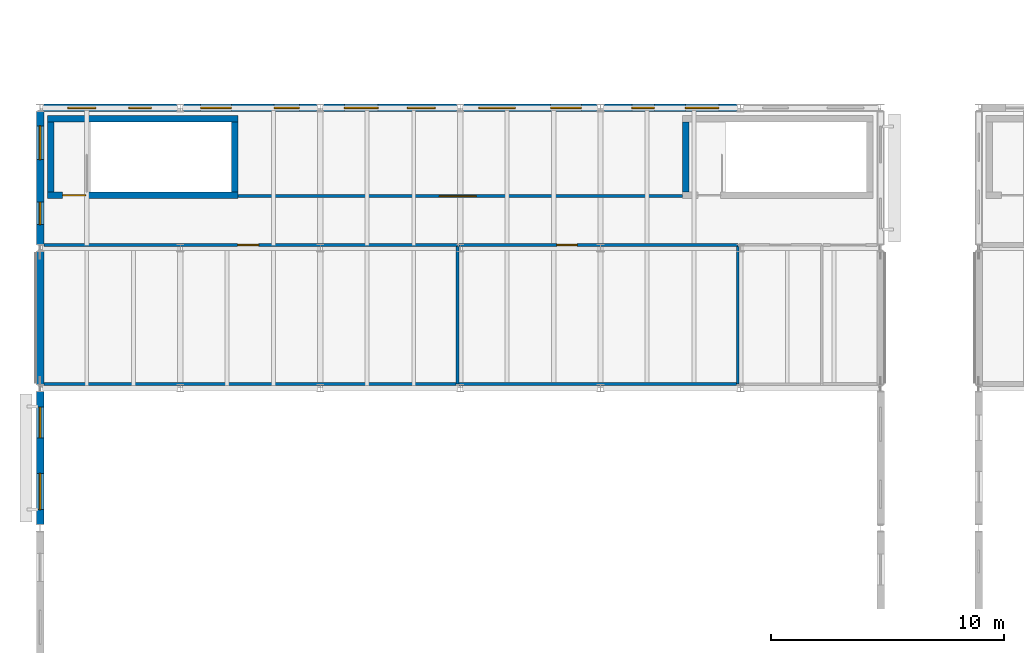
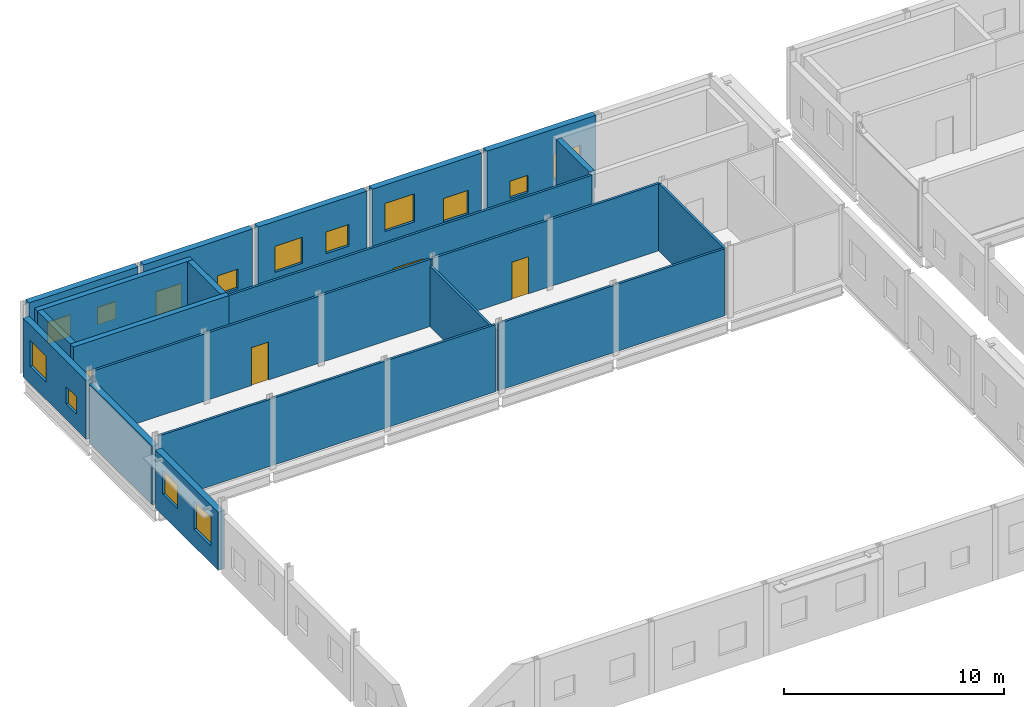
# One storey, part 65 of 92: 20 walls, 14 windows, 4 doors, 18 openings.
"""IFC4 building model written with IfcOpenShell, lengths in metres."""

import ifcopenshell
import ifcopenshell.guid

model = None  # the IFC model being written
_history = None  # IfcOwnerHistory: only IFC2X3 demands one
_inside = {}  # id of a spatial element -> (the spatial element, [elements in it])
_under = {}  # id of a project, library or spatial element -> (it, [spatial elements below it])
_declared = {}  # id of a project -> (the project, [libraries it declares])
_typed = {}  # id of a type object -> (the type object, [elements of that type])
_made_of = {}  # id of a material, layer set ... -> (it, [elements and type objects made of it])


def new_model(schema):
    """Start an empty IFC model of exactly this schema.

    Asked for "IFC4X3", IfcOpenShell would pick the latest addendum, in which some entities
    have other attributes; the version numbers below select the first issue.
    IFC2X3 requires an IfcOwnerHistory on every rooted entity: one is made here for all.
    """
    global model, _history
    if schema == "IFC4X3":
        model = ifcopenshell.file(schema_version=(4, 3, 0, 0))
    else:
        model = ifcopenshell.file(schema=schema)
    _inside.clear()
    _under.clear()
    _declared.clear()
    _typed.clear()
    _made_of.clear()
    _history = None
    if model.schema == "IFC2X3":
        org = make("IfcOrganization", Name="unknown")
        user = make(
            "IfcPersonAndOrganization",
            ThePerson=make("IfcPerson", FamilyName="unknown"),
            TheOrganization=org,
        )
        app = make(
            "IfcApplication",
            ApplicationDeveloper=org,
            Version="unknown",
            ApplicationFullName="unknown",
            ApplicationIdentifier="unknown",
        )
        _history = make(
            "IfcOwnerHistory",
            OwningUser=user,
            OwningApplication=app,
            ChangeAction="ADDED",
            CreationDate=0,
        )
    return model


def make(cls, **values):
    """One entity of the class cls with the attributes given. An attribute that is None is left unset."""
    return model.create_entity(
        cls, **{name: value for name, value in values.items() if value is not None}
    )


def rooted(cls, **values):
    """An entity with a GlobalId (a new one), such as an element, a storey or a relation."""
    return make(cls, GlobalId=ifcopenshell.guid.new(), OwnerHistory=_history, **values)


def si_unit(unit_type, name, prefix=None):
    """IfcSIUnit, for example si_unit("LENGTHUNIT", "METRE", prefix="MILLI")."""
    return make("IfcSIUnit", UnitType=unit_type, Prefix=prefix, Name=name)


def assignment(units):
    """IfcUnitAssignment: the units of a project."""
    return None if units is None else make("IfcUnitAssignment", Units=units)


def point(xyz):
    """IfcCartesianPoint."""
    return None if xyz is None else make("IfcCartesianPoint", Coordinates=xyz)


def direction(xyz):
    """IfcDirection."""
    return None if xyz is None else make("IfcDirection", DirectionRatios=xyz)


def frame(location, z_axis=None, x_axis=None):
    """IfcAxis2Placement3D, a coordinate frame: its origin and axes. An axis left out is left unset."""
    return make(
        "IfcAxis2Placement3D",
        Location=point(location),
        Axis=direction(z_axis),
        RefDirection=direction(x_axis),
    )


def frame_2d(location, x_axis=None):
    """IfcAxis2Placement2D, a coordinate frame in the plane: its origin and x axis."""
    return make(
        "IfcAxis2Placement2D", Location=point(location), RefDirection=direction(x_axis)
    )


def origin():
    """The frame at (0, 0, 0) with its axes left unset."""
    return frame((0.0, 0.0, 0.0))


def place(relative_to, where):
    """IfcLocalPlacement: puts the frame where relative to a parent placement (None: the world)."""
    return make(
        "IfcLocalPlacement", PlacementRelTo=relative_to, RelativePlacement=where
    )


def context(
    kind, dimensions, precision=None, world=None, true_north=None, identifier=None
):
    """IfcGeometricRepresentationContext, for example the 3D "Model" context."""
    return make(
        "IfcGeometricRepresentationContext",
        ContextIdentifier=identifier,
        ContextType=kind,
        CoordinateSpaceDimension=dimensions,
        Precision=precision,
        WorldCoordinateSystem=world,
        TrueNorth=true_north,
    )


def subcontext(parent, identifier, kind, view, scale=None):
    """IfcGeometricRepresentationSubContext, for example "Body" below "Model"."""
    return make(
        "IfcGeometricRepresentationSubContext",
        ContextIdentifier=identifier,
        ContextType=kind,
        ParentContext=parent,
        TargetScale=scale,
        TargetView=view,
    )


def project(units=None, contexts=None):
    """IfcProject with its units and contexts."""
    return rooted(
        "IfcProject",
        Name="project",
        RepresentationContexts=contexts,
        UnitsInContext=assignment(units),
    )


def spatial(cls, under=None, at=None, **own):
    """A site, building, storey or space (cls), placed at a placement, below another one or the project."""
    s = rooted(cls, ObjectPlacement=at, **own)
    if under is not None:
        _under.setdefault(under.id(), (under, []))[1].append(s)
    return s


def profile(cls, at=None, kind="AREA", **sizes):
    """A parametric profile (cls). Its sizes go by their IFC names, for example OverallWidth=200.0."""
    return make(cls, ProfileType=kind, Position=at, **sizes)


def rectangle(**sizes):
    """IfcRectangleProfileDef."""
    return profile("IfcRectangleProfileDef", **sizes)


def extrude(swept, where, along, depth):
    """IfcExtrudedAreaSolid: the profile swept, set in the frame where, extruded along a direction by depth."""
    return make(
        "IfcExtrudedAreaSolid",
        SweptArea=swept,
        Position=where,
        ExtrudedDirection=direction(along),
        Depth=depth,
    )


def shape(context_of_items, identifier, shape_type, items):
    """IfcShapeRepresentation: the items that make up one representation, for example the "Body"."""
    return make(
        "IfcShapeRepresentation",
        ContextOfItems=context_of_items,
        RepresentationIdentifier=identifier,
        RepresentationType=shape_type,
        Items=items,
    )


def material(Name=None, Category=None):
    """IfcMaterial."""
    return make("IfcMaterial", Name=Name, Category=Category)


def layer(
    of_material, thickness, ventilated=None, Name=None, Category=None, Priority=None
):
    """IfcMaterialLayer: one layer of a wall or slab, of a material (None: an air gap)."""
    return make(
        "IfcMaterialLayer",
        Material=of_material,
        LayerThickness=thickness,
        IsVentilated=ventilated,
        Name=Name,
        Category=Category,
        Priority=Priority,
    )


def layer_set(layers, Name=None):
    """IfcMaterialLayerSet."""
    return make("IfcMaterialLayerSet", MaterialLayers=layers, LayerSetName=Name)


def made_of(thing, what):
    """Note that an element or type object is made of a material, layer set ...; save() writes the relation."""
    if what is not None:
        _made_of.setdefault(what.id(), (what, []))[1].append(thing)
    return thing


def type_object(cls, material=None, **own):
    """A type object (cls), such as IfcWallType, which elements share."""
    return made_of(rooted(cls, **own), material)


def element(
    cls,
    number,
    at=None,
    inside=None,
    cuts=None,
    type_object=None,
    material=None,
    context=None,
    identifier="Body",
    shape_type=None,
    held_by="IfcProductDefinitionShape",
    body=None,
    shapes=None,
    **own,
):
    """One element of the class cls, such as IfcWall. Its Tag is "e" and its number.

    at: its placement. inside: the storey or other place that contains it. cuts: it is an
    opening in that element (IfcRelVoidsElement). A single representation is given by context,
    identifier, shape_type and body (its items); several are given by shapes. held_by: the class
    of the entity that holds the representations. save() writes the other relations.
    """
    e = rooted(cls, Tag="e%d" % number, ObjectPlacement=at, **own)
    if body is not None:
        shapes = [shape(context, identifier, shape_type, body)]
    if shapes is not None:
        e.Representation = make(held_by, Representations=shapes)
    if inside is not None:
        _inside.setdefault(inside.id(), (inside, []))[1].append(e)
    if cuts is not None:
        rooted(
            "IfcRelVoidsElement", RelatingBuildingElement=cuts, RelatedOpeningElement=e
        )
    if type_object is not None:
        _typed.setdefault(type_object.id(), (type_object, []))[1].append(e)
    return made_of(e, material)


def fill(opening, filler):
    """IfcRelFillsElement: the door or window that sits in an opening."""
    return rooted(
        "IfcRelFillsElement",
        RelatingOpeningElement=opening,
        RelatedBuildingElement=filler,
    )


def aggregate(whole, parts):
    """IfcRelAggregates: a whole, such as a stair, and the parts it consists of."""
    return rooted("IfcRelAggregates", RelatingObject=whole, RelatedObjects=parts)


def save(model, path):
    """Write the relations noted so far, then the file.

    IfcRelAggregates (storeys below a building ...), IfcRelContainedInSpatialStructure (elements
    in a storey), IfcRelDefinesByType, IfcRelAssociatesMaterial and IfcRelDeclares: one each for
    every whole, place, type object, material and project.
    """
    for whole, parts in _under.values():
        aggregate(whole, parts)
    for where, things in _inside.values():
        rooted(
            "IfcRelContainedInSpatialStructure",
            RelatedElements=things,
            RelatingStructure=where,
        )
    for kind, things in _typed.values():
        rooted("IfcRelDefinesByType", RelatedObjects=things, RelatingType=kind)
    for what, things in _made_of.values():
        rooted("IfcRelAssociatesMaterial", RelatedObjects=things, RelatingMaterial=what)
    for by, libraries in _declared.values():
        rooted("IfcRelDeclares", RelatingContext=by, RelatedDefinitions=libraries)
    model.write(path)


model = new_model("IFC4")

# Units and contexts
model_context = context("Model", 3, precision=1e-05, world=origin(), true_north=direction((0.0, 1.0)))
body_context = subcontext(model_context, "Body", "Model", "MODEL_VIEW")
ifc_project = project(units=[si_unit("LENGTHUNIT", "METRE"), si_unit("AREAUNIT", "SQUARE_METRE"), si_unit("VOLUMEUNIT", "CUBIC_METRE"), si_unit("PLANEANGLEUNIT", "RADIAN"), si_unit("MASSUNIT", "GRAM", prefix="KILO")], contexts=[model_context])

# Site, building, storey
site_placement = place(None, origin())
site = spatial("IfcSite", under=ifc_project, at=site_placement, CompositionType="ELEMENT")
building_placement = place(site_placement, origin())
building = spatial("IfcBuilding", under=site, at=building_placement, Name="Siltcreek Boulevard Central Fire Station", CompositionType="ELEMENT")
storey_placement = place(building_placement, frame((0.0, 0.0, 6.0)))
storey = spatial("IfcBuildingStorey", under=building, at=storey_placement, Name="L02", CompositionType="ELEMENT", Elevation=6.0)

# Wall, opening, door
ifc_material_1 = material(Name="Concrete C40/50", Category="concrete")
ifc_layer_1 = layer(ifc_material_1, 0.280029296875, Name="Concrete C40/50")
ifc_layer_set_1 = layer_set([ifc_layer_1], Name="Concrete C40/50")
wall_type_1 = type_object("IfcWallType", Name="CW_SHEAR280", PredefinedType="SHEAR", material=ifc_layer_set_1)
wall_1_placement = place(storey_placement, frame((2.1201171875, 50.260009765625, 0.0), z_axis=(0.0, 0.0, 1.0), x_axis=(1.0, 0.0, 0.0)))
wall_1 = element("IfcWall", 1, at=wall_1_placement, inside=storey, type_object=wall_type_1, Name="L02 ST-V4A stair enclosure south shear wall", PredefinedType="SHEAR", context=body_context, shape_type="SweptSolid", body=[
    extrude(rectangle(XDim=8.159912109375, YDim=0.280029296875, at=frame_2d((4.080078125, 0.0))), origin(), (0.0, 0.0, 1.0), 3.75),
])
opening_1_placement = place(wall_1_placement, frame((0.64990234375, 0.0, 0.0)))
opening_1 = element("IfcOpeningElement", 2, at=opening_1_placement, cuts=wall_1, Name="Opening SD-002", PredefinedType="OPENING", context=body_context, shape_type="SweptSolid", body=[
    extrude(rectangle(XDim=0.97998046875, YDim=2.14990234375, at=frame_2d((0.489990234375, 1.074951171875))), frame((0.0, 0.14990234375, 0.0), z_axis=(0.0, -1.0, 0.0), x_axis=(1.0, 0.0, 0.0)), (0.0, 0.0, 1.0), 0.300048828125),
])
ifc_material_2 = material(Name="Hollow metal 90-min enclosed stair door")
door_type_1 = type_object("IfcDoorType", Name="DR_ST_098X215", OperationType="NOTDEFINED", PredefinedType="DOOR", material=ifc_material_2)
door_1_placement = place(opening_1_placement, origin())
door_1 = element("IfcDoor", 3, at=door_1_placement, inside=storey, type_object=door_type_1, Name="L02 ST-V4A enclosed exit stair door SD-002", OperationType="SINGLE_SWING_LEFT", OverallHeight=2.14990234375, OverallWidth=0.97998046875, PredefinedType="DOOR", context=body_context, shape_type="SweptSolid", body=[
    extrude(rectangle(XDim=0.97998046875, YDim=2.14990234375, at=frame_2d((0.489990234375, 1.074951171875))), frame((0.0, 0.02490234375, 0.0), z_axis=(0.0, -1.0, 0.0), x_axis=(1.0, 0.0, 0.0)), (0.0, 0.0, 1.0), 0.050048828125),
])
fill(opening_1, door_1)

# Walls
wall_2_placement = place(storey_placement, frame((10.280029296875, 53.5400390625, 0.0), z_axis=(0.0, 0.0, 1.0), x_axis=(-1.0, 0.0, 0.0)))
element("IfcWall", 4, at=wall_2_placement, inside=storey, type_object=wall_type_1, Name="L02 ST-V4A stair enclosure north shear wall", PredefinedType="SHEAR", context=body_context, shape_type="SweptSolid", body=[
    extrude(rectangle(XDim=8.159912109375, YDim=0.280029296875, at=frame_2d((4.080078125, 0.0))), origin(), (0.0, 0.0, 1.0), 3.75),
])
for number, where, z_axis, x_axis, name in (
    (5, (2.260009765625, 53.39990234375, 0.0), (0.0, 0.0, 1.0), (0.0, -1.0, 0.0), "L02 ST-V4A stair enclosure west shear wall"),
    (6, (10.139892578125, 50.39990234375, 0.0), (0.0, 0.0, 1.0), (0.0, 1.0, 0.0), "L02 ST-V4A stair enclosure east shear wall"),
    (7, (29.4599609375, 53.39990234375, 0.0), (0.0, 0.0, 1.0), (0.0, -1.0, 0.0), "L02 ST-V4B stair enclosure west shear wall"),
):
    element("IfcWall", number, at=place(storey_placement, frame(where, z_axis=z_axis, x_axis=x_axis)), inside=storey, type_object=wall_type_1, Name=name, PredefinedType="SHEAR", context=body_context, shape_type="SweptSolid", body=[
        extrude(rectangle(XDim=3.0, YDim=0.280029296875, at=frame_2d((1.5, 0.0))), origin(), (0.0, 0.0, 1.0), 3.75),
    ])

# Wall, openings, windows
ifc_material_3 = material(Name="White ribbed aluminum insulated rainscreen panel", Category="aluminium")
ifc_layer_2 = layer(ifc_material_3, 0.320068359375, Name="White ribbed aluminum insulated rainscreen panel")
ifc_layer_set_2 = layer_set([ifc_layer_2], Name="White ribbed aluminum insulated rainscreen panel")
wall_type_2 = type_object("IfcWallType", Name="EW_METAL320", PredefinedType="STANDARD", material=ifc_layer_set_2)
wall_3_placement = place(storey_placement, frame((7.655029296875, 54.0, 0.0), z_axis=(0.0, 0.0, 1.0), x_axis=(-1.0, 0.0, 0.0)))
wall_3 = element("IfcWall", 8, at=wall_3_placement, inside=storey, type_object=wall_type_2, Name="L02 V4 exterior insulated rainscreen wall WL-EXT-L02-0253", PredefinedType="STANDARD", context=body_context, shape_type="SweptSolid", body=[
    extrude(rectangle(XDim=5.7099609375, YDim=0.320068359375, at=frame_2d((2.85498046875, 0.0))), origin(), (0.0, 0.0, 1.0), 4.0),
])
opening_2_placement = place(wall_3_placement, frame((1.09228515625, 0.0, 1.419921875)))
opening_2 = element("IfcOpeningElement", 9, at=opening_2_placement, cuts=wall_3, Name="Opening WN06", PredefinedType="OPENING", context=body_context, shape_type="SweptSolid", body=[
    extrude(rectangle(XDim=0.9599609375, YDim=0.9599609375, at=frame_2d((0.47998046875, 0.47998046875))), frame((0.0, 0.169921875, 0.0), z_axis=(0.0, -1.0, 0.0), x_axis=(1.0, 0.0, 0.0)), (0.0, 0.0, 1.0), 0.340087890625),
])
opening_3_placement = place(wall_3_placement, frame((3.46240234375, 0.0, 1.280029296875)))
opening_3 = element("IfcOpeningElement", 10, at=opening_3_placement, cuts=wall_3, Name="Opening WN01", PredefinedType="OPENING", context=body_context, shape_type="SweptSolid", body=[
    extrude(rectangle(XDim=1.199951171875, YDim=1.199951171875, at=frame_2d((0.60009765625, 0.60009765625))), frame((0.0, 0.169921875, 0.0), z_axis=(0.0, -1.0, 0.0), x_axis=(1.0, 0.0, 0.0)), (0.0, 0.0, 1.0), 0.340087890625),
])
ifc_material_4 = material(Name="Thermally broken aluminum frame with low-E insulated glass", Category="aluminium")
window_type_1 = type_object("IfcWindowType", Name="WN_SQ_096X096", PartitioningType="SINGLE_PANEL", PredefinedType="WINDOW", material=ifc_material_4)
window_1_placement = place(opening_2_placement, origin())
window_1 = element("IfcWindow", 11, at=window_1_placement, inside=storey, type_object=window_type_1, Name="L02 V4 square exterior window WN-0115", OverallHeight=0.9599609375, OverallWidth=0.9599609375, PartitioningType="SINGLE_PANEL", PredefinedType="WINDOW", context=body_context, shape_type="SweptSolid", body=[
    extrude(rectangle(XDim=0.9599609375, YDim=0.9599609375, at=frame_2d((0.47998046875, 0.47998046875))), frame((0.0, 0.030029296875, 0.0), z_axis=(0.0, -1.0, 0.0), x_axis=(1.0, 0.0, 0.0)), (0.0, 0.0, 1.0), 0.06005859375),
])
fill(opening_2, window_1)
window_type_2 = type_object("IfcWindowType", Name="WN_SQ_120X120", PartitioningType="SINGLE_PANEL", PredefinedType="WINDOW", material=ifc_material_4)
window_2_placement = place(opening_3_placement, origin())
window_2 = element("IfcWindow", 12, at=window_2_placement, inside=storey, type_object=window_type_2, Name="L02 V4 square exterior window WN-0116", OverallHeight=1.199951171875, OverallWidth=1.199951171875, PartitioningType="SINGLE_PANEL", PredefinedType="WINDOW", context=body_context, shape_type="SweptSolid", body=[
    extrude(rectangle(XDim=1.199951171875, YDim=1.199951171875, at=frame_2d((0.60009765625, 0.60009765625))), frame((0.0, 0.030029296875, 0.0), z_axis=(0.0, -1.0, 0.0), x_axis=(1.0, 0.0, 0.0)), (0.0, 0.0, 1.0), 0.06005859375),
])
fill(opening_3, window_2)

wall_4_placement = place(storey_placement, frame((13.655029296875, 54.0, 0.0), z_axis=(0.0, 0.0, 1.0), x_axis=(-1.0, 0.0, 0.0)))
wall_4 = element("IfcWall", 13, at=wall_4_placement, inside=storey, type_object=wall_type_2, Name="L02 V4 exterior insulated rainscreen wall WL-EXT-L02-0254", PredefinedType="STANDARD", context=body_context, shape_type="SweptSolid", body=[
    extrude(rectangle(XDim=5.7099609375, YDim=0.320068359375, at=frame_2d((2.85498046875, 0.0))), origin(), (0.0, 0.0, 1.0), 4.0),
])
opening_4_placement = place(wall_4_placement, frame((0.75390625, 0.0, 0.9599609375)))
opening_4 = element("IfcOpeningElement", 14, at=opening_4_placement, cuts=wall_4, Name="Opening WN05", PredefinedType="OPENING", context=body_context, shape_type="SweptSolid", body=[
    extrude(rectangle(XDim=1.080078125, YDim=1.080078125, at=frame_2d((0.5400390625, 0.5400390625))), frame((0.0, 0.169921875, 0.0), z_axis=(0.0, -1.0, 0.0), x_axis=(1.0, 0.0, 0.0)), (0.0, 0.0, 1.0), 0.340087890625),
])
opening_5_placement = place(wall_4_placement, frame((3.66015625, 0.0, 0.860107421875)))
opening_5 = element("IfcOpeningElement", 15, at=opening_5_placement, cuts=wall_4, Name="Opening WN02", PredefinedType="OPENING", context=body_context, shape_type="SweptSolid", body=[
    extrude(rectangle(XDim=1.320068359375, YDim=1.320068359375, at=frame_2d((0.66015625, 0.66015625))), frame((0.0, 0.169921875, 0.0), z_axis=(0.0, -1.0, 0.0), x_axis=(1.0, 0.0, 0.0)), (0.0, 0.0, 1.0), 0.340087890625),
])
window_type_3 = type_object("IfcWindowType", Name="WN_SQ_108X108", PartitioningType="SINGLE_PANEL", PredefinedType="WINDOW", material=ifc_material_4)
window_3_placement = place(opening_4_placement, origin())
window_3 = element("IfcWindow", 16, at=window_3_placement, inside=storey, type_object=window_type_3, Name="L02 V4 square exterior window WN-0117", OverallHeight=1.080078125, OverallWidth=1.080078125, PartitioningType="SINGLE_PANEL", PredefinedType="WINDOW", context=body_context, shape_type="SweptSolid", body=[
    extrude(rectangle(XDim=1.080078125, YDim=1.080078125, at=frame_2d((0.5400390625, 0.5400390625))), frame((0.0, 0.030029296875, 0.0), z_axis=(0.0, -1.0, 0.0), x_axis=(1.0, 0.0, 0.0)), (0.0, 0.0, 1.0), 0.06005859375),
])
fill(opening_4, window_3)
window_type_4 = type_object("IfcWindowType", Name="WN_SQ_132X132", PartitioningType="SINGLE_PANEL", PredefinedType="WINDOW", material=ifc_material_4)
window_4_placement = place(opening_5_placement, origin())
window_4 = element("IfcWindow", 17, at=window_4_placement, inside=storey, type_object=window_type_4, Name="L02 V4 square exterior window WN-0118", OverallHeight=1.320068359375, OverallWidth=1.320068359375, PartitioningType="SINGLE_PANEL", PredefinedType="WINDOW", context=body_context, shape_type="SweptSolid", body=[
    extrude(rectangle(XDim=1.320068359375, YDim=1.320068359375, at=frame_2d((0.66015625, 0.66015625))), frame((0.0, 0.030029296875, 0.0), z_axis=(0.0, -1.0, 0.0), x_axis=(1.0, 0.0, 0.0)), (0.0, 0.0, 1.0), 0.06005859375),
])
fill(opening_5, window_4)

wall_5_placement = place(storey_placement, frame((19.655029296875, 54.0, 0.0), z_axis=(0.0, 0.0, 1.0), x_axis=(-1.0, 0.0, 0.0)))
wall_5 = element("IfcWall", 18, at=wall_5_placement, inside=storey, type_object=wall_type_2, Name="L02 V4 exterior insulated rainscreen wall WL-EXT-L02-0255", PredefinedType="STANDARD", context=body_context, shape_type="SweptSolid", body=[
    extrude(rectangle(XDim=5.7099609375, YDim=0.320068359375, at=frame_2d((2.85498046875, 0.0))), origin(), (0.0, 0.0, 1.0), 4.0),
])
opening_6_placement = place(wall_5_placement, frame((0.936279296875, 0.0, 1.280029296875)))
opening_6 = element("IfcOpeningElement", 19, at=opening_6_placement, cuts=wall_5, Name="Opening WN01", PredefinedType="OPENING", context=body_context, shape_type="SweptSolid", body=[
    extrude(rectangle(XDim=1.199951171875, YDim=1.199951171875, at=frame_2d((0.60009765625, 0.60009765625))), frame((0.0, 0.169921875, 0.0), z_axis=(0.0, -1.0, 0.0), x_axis=(1.0, 0.0, 0.0)), (0.0, 0.0, 1.0), 0.340087890625),
])
opening_7_placement = place(wall_5_placement, frame((3.37841796875, 0.0, 1.179931640625)))
opening_7 = element("IfcOpeningElement", 20, at=opening_7_placement, cuts=wall_5, Name="Opening WN03", PredefinedType="OPENING", context=body_context, shape_type="SweptSolid", body=[
    extrude(rectangle(XDim=1.43994140625, YDim=1.43994140625, at=frame_2d((0.719970703125, 0.719970703125))), frame((0.0, 0.169921875, 0.0), z_axis=(0.0, -1.0, 0.0), x_axis=(1.0, 0.0, 0.0)), (0.0, 0.0, 1.0), 0.340087890625),
])
window_5_placement = place(opening_6_placement, origin())
window_5 = element("IfcWindow", 21, at=window_5_placement, inside=storey, type_object=window_type_2, Name="L02 V4 square exterior window WN-0119", OverallHeight=1.199951171875, OverallWidth=1.199951171875, PartitioningType="SINGLE_PANEL", PredefinedType="WINDOW", context=body_context, shape_type="SweptSolid", body=[
    extrude(rectangle(XDim=1.199951171875, YDim=1.199951171875, at=frame_2d((0.60009765625, 0.60009765625))), frame((0.0, 0.030029296875, 0.0), z_axis=(0.0, -1.0, 0.0), x_axis=(1.0, 0.0, 0.0)), (0.0, 0.0, 1.0), 0.06005859375),
])
fill(opening_6, window_5)
window_type_5 = type_object("IfcWindowType", Name="WN_SQ_144X144", PartitioningType="SINGLE_PANEL", PredefinedType="WINDOW", material=ifc_material_4)
window_6_placement = place(opening_7_placement, origin())
window_6 = element("IfcWindow", 22, at=window_6_placement, inside=storey, type_object=window_type_5, Name="L02 V4 square exterior window WN-0120", OverallHeight=1.43994140625, OverallWidth=1.43994140625, PartitioningType="SINGLE_PANEL", PredefinedType="WINDOW", context=body_context, shape_type="SweptSolid", body=[
    extrude(rectangle(XDim=1.43994140625, YDim=1.43994140625, at=frame_2d((0.719970703125, 0.719970703125))), frame((0.0, 0.030029296875, 0.0), z_axis=(0.0, -1.0, 0.0), x_axis=(1.0, 0.0, 0.0)), (0.0, 0.0, 1.0), 0.06005859375),
])
fill(opening_7, window_6)

wall_6_placement = place(storey_placement, frame((25.655029296875, 54.0, 0.0), z_axis=(0.0, 0.0, 1.0), x_axis=(-1.0, 0.0, 0.0)))
wall_6 = element("IfcWall", 23, at=wall_6_placement, inside=storey, type_object=wall_type_2, Name="L02 V4 exterior insulated rainscreen wall WL-EXT-L02-0256", PredefinedType="STANDARD", context=body_context, shape_type="SweptSolid", body=[
    extrude(rectangle(XDim=5.7099609375, YDim=0.320068359375, at=frame_2d((2.85498046875, 0.0))), origin(), (0.0, 0.0, 1.0), 4.0),
])
opening_8_placement = place(wall_6_placement, frame((0.669921875, 0.0, 0.860107421875)))
opening_8 = element("IfcOpeningElement", 24, at=opening_8_placement, cuts=wall_6, Name="Opening WN02", PredefinedType="OPENING", context=body_context, shape_type="SweptSolid", body=[
    extrude(rectangle(XDim=1.320068359375, YDim=1.320068359375, at=frame_2d((0.66015625, 0.66015625))), frame((0.0, 0.169921875, 0.0), z_axis=(0.0, -1.0, 0.0), x_axis=(1.0, 0.0, 0.0)), (0.0, 0.0, 1.0), 0.340087890625),
])
opening_9_placement = place(wall_6_placement, frame((3.504150390625, 0.0, 1.419921875)))
opening_9 = element("IfcOpeningElement", 25, at=opening_9_placement, cuts=wall_6, Name="Opening WN04", PredefinedType="OPENING", context=body_context, shape_type="SweptSolid", body=[
    extrude(rectangle(XDim=1.56005859375, YDim=1.56005859375, at=frame_2d((0.780029296875, 0.780029296875))), frame((0.0, 0.169921875, 0.0), z_axis=(0.0, -1.0, 0.0), x_axis=(1.0, 0.0, 0.0)), (0.0, 0.0, 1.0), 0.340087890625),
])
window_7_placement = place(opening_8_placement, origin())
window_7 = element("IfcWindow", 26, at=window_7_placement, inside=storey, type_object=window_type_4, Name="L02 V4 square exterior window WN-0121", OverallHeight=1.320068359375, OverallWidth=1.320068359375, PartitioningType="SINGLE_PANEL", PredefinedType="WINDOW", context=body_context, shape_type="SweptSolid", body=[
    extrude(rectangle(XDim=1.320068359375, YDim=1.320068359375, at=frame_2d((0.66015625, 0.66015625))), frame((0.0, 0.030029296875, 0.0), z_axis=(0.0, -1.0, 0.0), x_axis=(1.0, 0.0, 0.0)), (0.0, 0.0, 1.0), 0.06005859375),
])
fill(opening_8, window_7)
window_type_6 = type_object("IfcWindowType", Name="WN_SQ_156X156", PartitioningType="SINGLE_PANEL", PredefinedType="WINDOW", material=ifc_material_4)
window_8_placement = place(opening_9_placement, origin())
window_8 = element("IfcWindow", 27, at=window_8_placement, inside=storey, type_object=window_type_6, Name="L02 V4 square exterior window WN-0122", OverallHeight=1.56005859375, OverallWidth=1.56005859375, PartitioningType="SINGLE_PANEL", PredefinedType="WINDOW", context=body_context, shape_type="SweptSolid", body=[
    extrude(rectangle(XDim=1.56005859375, YDim=1.56005859375, at=frame_2d((0.780029296875, 0.780029296875))), frame((0.0, 0.030029296875, 0.0), z_axis=(0.0, -1.0, 0.0), x_axis=(1.0, 0.0, 0.0)), (0.0, 0.0, 1.0), 0.06005859375),
])
fill(opening_9, window_8)

wall_7_placement = place(storey_placement, frame((31.655029296875, 54.0, 0.0), z_axis=(0.0, 0.0, 1.0), x_axis=(-1.0, 0.0, 0.0)))
wall_7 = element("IfcWall", 28, at=wall_7_placement, inside=storey, type_object=wall_type_2, Name="L02 V4 exterior insulated rainscreen wall WL-EXT-L02-0257", PredefinedType="STANDARD", context=body_context, shape_type="SweptSolid", body=[
    extrude(rectangle(XDim=5.7099609375, YDim=0.320068359375, at=frame_2d((2.85498046875, 0.0))), origin(), (0.0, 0.0, 1.0), 4.0),
])
opening_10_placement = place(wall_7_placement, frame((0.7802734375, 0.0, 1.179931640625)))
opening_10 = element("IfcOpeningElement", 29, at=opening_10_placement, cuts=wall_7, Name="Opening WN03", PredefinedType="OPENING", context=body_context, shape_type="SweptSolid", body=[
    extrude(rectangle(XDim=1.43994140625, YDim=1.43994140625, at=frame_2d((0.719970703125, 0.719970703125))), frame((0.0, 0.169921875, 0.0), z_axis=(0.0, -1.0, 0.0), x_axis=(1.0, 0.0, 0.0)), (0.0, 0.0, 1.0), 0.340087890625),
])
opening_11_placement = place(wall_7_placement, frame((3.54638671875, 0.0, 0.9599609375)))
opening_11 = element("IfcOpeningElement", 30, at=opening_11_placement, cuts=wall_7, Name="Opening WN06", PredefinedType="OPENING", context=body_context, shape_type="SweptSolid", body=[
    extrude(rectangle(XDim=0.9599609375, YDim=0.9599609375, at=frame_2d((0.47998046875, 0.47998046875))), frame((0.0, 0.169921875, 0.0), z_axis=(0.0, -1.0, 0.0), x_axis=(1.0, 0.0, 0.0)), (0.0, 0.0, 1.0), 0.340087890625),
])
window_9_placement = place(opening_11_placement, origin())
window_9 = element("IfcWindow", 31, at=window_9_placement, inside=storey, type_object=window_type_1, Name="L02 V4 square exterior window WN-0124", OverallHeight=0.9599609375, OverallWidth=0.9599609375, PartitioningType="SINGLE_PANEL", PredefinedType="WINDOW", context=body_context, shape_type="SweptSolid", body=[
    extrude(rectangle(XDim=0.9599609375, YDim=0.9599609375, at=frame_2d((0.47998046875, 0.47998046875))), frame((0.0, 0.030029296875, 0.0), z_axis=(0.0, -1.0, 0.0), x_axis=(1.0, 0.0, 0.0)), (0.0, 0.0, 1.0), 0.06005859375),
])
fill(opening_11, window_9)
window_10_placement = place(opening_10_placement, origin())
window_10 = element("IfcWindow", 32, at=window_10_placement, inside=storey, type_object=window_type_5, Name="L02 V4 square exterior window WN-0123", OverallHeight=1.43994140625, OverallWidth=1.43994140625, PartitioningType="SINGLE_PANEL", PredefinedType="WINDOW", context=body_context, shape_type="SweptSolid", body=[
    extrude(rectangle(XDim=1.43994140625, YDim=1.43994140625, at=frame_2d((0.719970703125, 0.719970703125))), frame((0.0, 0.030029296875, 0.0), z_axis=(0.0, -1.0, 0.0), x_axis=(1.0, 0.0, 0.0)), (0.0, 0.0, 1.0), 0.06005859375),
])
fill(opening_10, window_10)

wall_8_placement = place(storey_placement, frame((1.800048828125, 41.85498046875, 0.0), z_axis=(0.0, 0.0, 1.0), x_axis=(0.0, -1.0, 0.0)))
wall_8 = element("IfcWall", 33, at=wall_8_placement, inside=storey, type_object=wall_type_2, Name="L02 V4 exterior insulated rainscreen wall WL-EXT-L02-0262", PredefinedType="STANDARD", context=body_context, shape_type="SweptSolid", body=[
    extrude(rectangle(XDim=5.7099609375, YDim=0.320068359375, at=frame_2d((2.85498046875, 0.0))), origin(), (0.0, 0.0, 1.0), 3.22900390625),
])
opening_12_placement = place(wall_8_placement, frame((0.669921875, 0.0, 1.179931640625)))
opening_12 = element("IfcOpeningElement", 34, at=opening_12_placement, cuts=wall_8, Name="Opening WN02", PredefinedType="OPENING", context=body_context, shape_type="SweptSolid", body=[
    extrude(rectangle(XDim=1.320068359375, YDim=1.320068359375, at=frame_2d((0.66015625, 0.66015625))), frame((0.0, 0.169921875, 0.0), z_axis=(0.0, -1.0, 0.0), x_axis=(1.0, 0.0, 0.0)), (0.0, 0.0, 1.0), 0.340087890625),
])
opening_13_placement = place(wall_8_placement, frame((3.504150390625, 0.0, 0.9599609375)))
opening_13 = element("IfcOpeningElement", 35, at=opening_13_placement, cuts=wall_8, Name="Opening WN04", PredefinedType="OPENING", context=body_context, shape_type="SweptSolid", body=[
    extrude(rectangle(XDim=1.56005859375, YDim=1.56005859375, at=frame_2d((0.780029296875, 0.780029296875))), frame((0.0, 0.169921875, 0.0), z_axis=(0.0, -1.0, 0.0), x_axis=(1.0, 0.0, 0.0)), (0.0, 0.0, 1.0), 0.340087890625),
])
window_11_placement = place(opening_12_placement, origin())
window_11 = element("IfcWindow", 36, at=window_11_placement, inside=storey, type_object=window_type_4, Name="L02 V4 square exterior window WN-0133", OverallHeight=1.320068359375, OverallWidth=1.320068359375, PartitioningType="SINGLE_PANEL", PredefinedType="WINDOW", context=body_context, shape_type="SweptSolid", body=[
    extrude(rectangle(XDim=1.320068359375, YDim=1.320068359375, at=frame_2d((0.66015625, 0.66015625))), frame((0.0, 0.030029296875, 0.0), z_axis=(0.0, -1.0, 0.0), x_axis=(1.0, 0.0, 0.0)), (0.0, 0.0, 1.0), 0.06005859375),
])
fill(opening_12, window_11)
window_12_placement = place(opening_13_placement, origin())
window_12 = element("IfcWindow", 37, at=window_12_placement, inside=storey, type_object=window_type_6, Name="L02 V4 square exterior window WN-0134", OverallHeight=1.56005859375, OverallWidth=1.56005859375, PartitioningType="SINGLE_PANEL", PredefinedType="WINDOW", context=body_context, shape_type="SweptSolid", body=[
    extrude(rectangle(XDim=1.56005859375, YDim=1.56005859375, at=frame_2d((0.780029296875, 0.780029296875))), frame((0.0, 0.030029296875, 0.0), z_axis=(0.0, -1.0, 0.0), x_axis=(1.0, 0.0, 0.0)), (0.0, 0.0, 1.0), 0.06005859375),
])
fill(opening_13, window_12)

# Wall
wall_9_placement = place(storey_placement, frame((1.800048828125, 47.85498046875, 0.0), z_axis=(0.0, 0.0, 1.0), x_axis=(0.0, -1.0, 0.0)))
element("IfcWall", 38, at=wall_9_placement, inside=storey, type_object=wall_type_2, Name="L02 V4 exterior insulated rainscreen wall WL-EXT-L02-0263", PredefinedType="STANDARD", context=body_context, shape_type="SweptSolid", body=[
    extrude(rectangle(XDim=5.7099609375, YDim=0.320068359375, at=frame_2d((2.85498046875, 0.0))), origin(), (0.0, 0.0, 1.0), 3.24951171875),
])

# Wall, openings, windows
wall_10_placement = place(storey_placement, frame((1.800048828125, 53.85498046875, 0.0), z_axis=(0.0, 0.0, 1.0), x_axis=(0.0, -1.0, 0.0)))
wall_10 = element("IfcWall", 39, at=wall_10_placement, inside=storey, type_object=wall_type_2, Name="L02 V4 exterior insulated rainscreen wall WL-EXT-L02-0264", PredefinedType="STANDARD", context=body_context, shape_type="SweptSolid", body=[
    extrude(rectangle(XDim=5.7099609375, YDim=0.320068359375, at=frame_2d((2.85498046875, 0.0))), origin(), (0.0, 0.0, 1.0), 3.24951171875),
])
opening_14_placement = place(wall_10_placement, frame((0.6279296875, 0.0, 0.9599609375)))
opening_14 = element("IfcOpeningElement", 40, at=opening_14_placement, cuts=wall_10, Name="Opening WN03", PredefinedType="OPENING", context=body_context, shape_type="SweptSolid", body=[
    extrude(rectangle(XDim=1.43994140625, YDim=1.43994140625, at=frame_2d((0.719970703125, 0.719970703125))), frame((0.0, 0.169921875, 0.0), z_axis=(0.0, -1.0, 0.0), x_axis=(1.0, 0.0, 0.0)), (0.0, 0.0, 1.0), 0.340087890625),
])
opening_15_placement = place(wall_10_placement, frame((3.894287109375, 0.0, 0.860107421875)))
opening_15 = element("IfcOpeningElement", 41, at=opening_15_placement, cuts=wall_10, Name="Opening WN06", PredefinedType="OPENING", context=body_context, shape_type="SweptSolid", body=[
    extrude(rectangle(XDim=0.9599609375, YDim=0.9599609375, at=frame_2d((0.47998046875, 0.47998046875))), frame((0.0, 0.169921875, 0.0), z_axis=(0.0, -1.0, 0.0), x_axis=(1.0, 0.0, 0.0)), (0.0, 0.0, 1.0), 0.340087890625),
])
window_13_placement = place(opening_15_placement, origin())
window_13 = element("IfcWindow", 42, at=window_13_placement, inside=storey, type_object=window_type_1, Name="L02 V4 square exterior window WN-0136", OverallHeight=0.9599609375, OverallWidth=0.9599609375, PartitioningType="SINGLE_PANEL", PredefinedType="WINDOW", context=body_context, shape_type="SweptSolid", body=[
    extrude(rectangle(XDim=0.9599609375, YDim=0.9599609375, at=frame_2d((0.47998046875, 0.47998046875))), frame((0.0, 0.030029296875, 0.0), z_axis=(0.0, -1.0, 0.0), x_axis=(1.0, 0.0, 0.0)), (0.0, 0.0, 1.0), 0.06005859375),
])
fill(opening_15, window_13)
window_14_placement = place(opening_14_placement, origin())
window_14 = element("IfcWindow", 43, at=window_14_placement, inside=storey, type_object=window_type_5, Name="L02 V4 square exterior window WN-0135", OverallHeight=1.43994140625, OverallWidth=1.43994140625, PartitioningType="SINGLE_PANEL", PredefinedType="WINDOW", context=body_context, shape_type="SweptSolid", body=[
    extrude(rectangle(XDim=1.43994140625, YDim=1.43994140625, at=frame_2d((0.719970703125, 0.719970703125))), frame((0.0, 0.030029296875, 0.0), z_axis=(0.0, -1.0, 0.0), x_axis=(1.0, 0.0, 0.0)), (0.0, 0.0, 1.0), 0.06005859375),
])
fill(opening_14, window_14)

# Wall, opening, door
ifc_material_5 = material(Name="Interior steel stud gypsum partition", Category="steel")
ifc_layer_3 = layer(ifc_material_5, 0.125, Name="Interior steel stud gypsum partition")
ifc_layer_set_3 = layer_set([ifc_layer_3], Name="Interior steel stud gypsum partition")
wall_type_3 = type_object("IfcWallType", Name="IW_PART125", PredefinedType="PARTITIONING", material=ifc_layer_set_3)
wall_11_placement = place(storey_placement, frame((1.9599609375, 48.1298828125, 0.0), z_axis=(0.0, 0.0, 1.0), x_axis=(1.0, 0.0, 0.0)))
wall_11 = element("IfcWall", 44, at=wall_11_placement, inside=storey, type_object=wall_type_3, Name="L02 Heavy Apparatus Diagnostics Lab partition 0111", PredefinedType="PARTITIONING", context=body_context, shape_type="SweptSolid", body=[
    extrude(rectangle(XDim=17.72265625, YDim=0.125, at=frame_2d((8.861328125, 0.0))), origin(), (0.0, 0.0, 1.0), 3.719970703125),
])
opening_16_placement = place(wall_11_placement, frame((8.30126953125, 0.0, 0.0)))
opening_16 = element("IfcOpeningElement", 45, at=opening_16_placement, cuts=wall_11, Name="Opening ID08", PredefinedType="OPENING", context=body_context, shape_type="SweptSolid", body=[
    extrude(rectangle(XDim=0.89990234375, YDim=2.10009765625, at=frame_2d((0.449951171875, 1.050048828125))), frame((0.0, 0.072509765625, 0.0), z_axis=(0.0, -1.0, 0.0), x_axis=(1.0, 0.0, 0.0)), (0.0, 0.0, 1.0), 0.14501953125),
])
ifc_material_6 = material(Name="Moisture-resistant accessible toilet door")
door_type_2 = type_object("IfcDoorType", Name="DR_WC_090X210", OperationType="NOTDEFINED", PredefinedType="DOOR", material=ifc_material_6)
door_2_placement = place(opening_16_placement, frame((0.89990234375, 0.0, 0.0), z_axis=(0.0, 0.0, 1.0), x_axis=(-1.0, 0.0, 0.0)))
door_2 = element("IfcDoor", 46, at=door_2_placement, inside=storey, type_object=door_type_2, Name="L02 Heavy Apparatus Diagnostics Lab door ID-0051", OperationType="SINGLE_SWING_RIGHT", OverallHeight=2.10009765625, OverallWidth=0.89990234375, PredefinedType="DOOR", context=body_context, shape_type="SweptSolid", body=[
    extrude(rectangle(XDim=0.89990234375, YDim=2.10009765625, at=frame_2d((0.449951171875, 1.050048828125))), frame((0.0, 0.02490234375, 0.0), z_axis=(0.0, -1.0, 0.0), x_axis=(1.0, 0.0, 0.0)), (0.0, 0.0, 1.0), 0.050048828125),
])
fill(opening_16, door_2)

# Walls
wall_12_placement = place(storey_placement, frame((19.679931640625, 48.0673828125, 0.0), z_axis=(0.0, 0.0, 1.0), x_axis=(0.0, -1.0, 0.0)))
element("IfcWall", 47, at=wall_12_placement, inside=storey, type_object=wall_type_3, Name="L02 Heavy Apparatus Diagnostics Lab partition 0112", PredefinedType="PARTITIONING", context=body_context, shape_type="SweptSolid", body=[
    extrude(rectangle(XDim=5.89990234375, YDim=0.125, at=frame_2d((2.949951171875, 0.0))), origin(), (0.0, 0.0, 1.0), 3.358154296875),
])
wall_13_placement = place(storey_placement, frame((19.617431640625, 42.169921875, 0.0), z_axis=(0.0, 0.0, 1.0), x_axis=(-1.0, 0.0, 0.0)))
element("IfcWall", 48, at=wall_13_placement, inside=storey, type_object=wall_type_3, Name="L02 Heavy Apparatus Diagnostics Lab partition 0113", PredefinedType="PARTITIONING", context=body_context, shape_type="SweptSolid", body=[
    extrude(rectangle(XDim=17.657470703125, YDim=0.125, at=frame_2d((8.82861328125, 0.0))), origin(), (0.0, 0.0, 1.0), 3.719970703125),
])

# Wall, opening, door
wall_14_placement = place(storey_placement, frame((19.742431640625, 48.1298828125, 0.0), z_axis=(0.0, 0.0, 1.0), x_axis=(1.0, 0.0, 0.0)))
wall_14 = element("IfcWall", 49, at=wall_14_placement, inside=storey, type_object=wall_type_3, Name="L02 Avionics and Radio Repair Shop partition 0114", PredefinedType="PARTITIONING", context=body_context, shape_type="SweptSolid", body=[
    extrude(rectangle(XDim=11.940185546875, YDim=0.125, at=frame_2d((5.97021484375, 0.0))), origin(), (0.0, 0.0, 1.0), 3.719970703125),
])
opening_17_placement = place(wall_14_placement, frame((4.19140625, 0.0, 0.0)))
opening_17 = element("IfcOpeningElement", 50, at=opening_17_placement, cuts=wall_14, Name="Opening ID09", PredefinedType="OPENING", context=body_context, shape_type="SweptSolid", body=[
    extrude(rectangle(XDim=0.8701171875, YDim=2.06005859375, at=frame_2d((0.43505859375, 1.030029296875))), frame((0.0, 0.072509765625, 0.0), z_axis=(0.0, -1.0, 0.0), x_axis=(1.0, 0.0, 0.0)), (0.0, 0.0, 1.0), 0.14501953125),
])
ifc_material_7 = material(Name="Moisture-resistant staff toilet door")
door_type_3 = type_object("IfcDoorType", Name="DR_WC_087X206", OperationType="NOTDEFINED", PredefinedType="DOOR", material=ifc_material_7)
door_3_placement = place(opening_17_placement, frame((0.8701171875, 0.0, 0.0), z_axis=(0.0, 0.0, 1.0), x_axis=(-1.0, 0.0, 0.0)))
door_3 = element("IfcDoor", 51, at=door_3_placement, inside=storey, type_object=door_type_3, Name="L02 Avionics and Radio Repair Shop door ID-0052", OperationType="SINGLE_SWING_LEFT", OverallHeight=2.06005859375, OverallWidth=0.8701171875, PredefinedType="DOOR", context=body_context, shape_type="SweptSolid", body=[
    extrude(rectangle(XDim=0.8701171875, YDim=2.06005859375, at=frame_2d((0.43505859375, 1.030029296875))), frame((0.0, 0.02490234375, 0.0), z_axis=(0.0, -1.0, 0.0), x_axis=(1.0, 0.0, 0.0)), (0.0, 0.0, 1.0), 0.050048828125),
])
fill(opening_17, door_3)

# Walls
wall_15_placement = place(storey_placement, frame((31.679931640625, 48.0673828125, 0.0), z_axis=(0.0, 0.0, 1.0), x_axis=(0.0, -1.0, 0.0)))
element("IfcWall", 52, at=wall_15_placement, inside=storey, type_object=wall_type_3, Name="L02 Avionics and Radio Repair Shop partition 0115", PredefinedType="PARTITIONING", context=body_context, shape_type="SweptSolid", body=[
    extrude(rectangle(XDim=5.89990234375, YDim=0.125, at=frame_2d((2.949951171875, 0.0))), origin(), (0.0, 0.0, 1.0), 3.719970703125),
])
wall_16_placement = place(storey_placement, frame((31.617431640625, 42.169921875, 0.0), z_axis=(0.0, 0.0, 1.0), x_axis=(-1.0, 0.0, 0.0)))
element("IfcWall", 53, at=wall_16_placement, inside=storey, type_object=wall_type_3, Name="L02 Avionics and Radio Repair Shop partition 0116", PredefinedType="PARTITIONING", context=body_context, shape_type="SweptSolid", body=[
    extrude(rectangle(XDim=11.875, YDim=0.125, at=frame_2d((5.9375, 0.0))), origin(), (0.0, 0.0, 1.0), 3.719970703125),
])

# Wall, opening, door
wall_17_placement = place(storey_placement, frame((29.320068359375, 50.219970703125, 0.0), z_axis=(0.0, 0.0, 1.0), x_axis=(-1.0, 0.0, 0.0)))
wall_17 = element("IfcWall", 54, at=wall_17_placement, inside=storey, type_object=wall_type_3, Name="L02 Fleet Technical Library Room partition 0122", PredefinedType="PARTITIONING", context=body_context, shape_type="SweptSolid", body=[
    extrude(rectangle(XDim=19.0400390625, YDim=0.125, at=frame_2d((9.52001953125, 0.0))), origin(), (0.0, 0.0, 1.0), 3.719970703125),
])
opening_18_placement = place(wall_17_placement, frame((8.84130859375, 0.0, 0.0)))
opening_18 = element("IfcOpeningElement", 55, at=opening_18_placement, cuts=wall_17, Name="Opening AD02", PredefinedType="OPENING", context=body_context, shape_type="SweptSolid", body=[
    extrude(rectangle(XDim=1.580078125, YDim=2.199951171875, at=frame_2d((0.7900390625, 1.10009765625))), frame((0.0, 0.072509765625, 0.0), z_axis=(0.0, -1.0, 0.0), x_axis=(1.0, 0.0, 0.0)), (0.0, 0.0, 1.0), 0.14501953125),
])
ifc_material_8 = material(Name="Glazed acoustic assembly hall double door")
door_type_4 = type_object("IfcDoorType", Name="DR_HAL_158X220", OperationType="NOTDEFINED", PredefinedType="DOOR", material=ifc_material_8)
door_4_placement = place(opening_18_placement, frame((1.580078125, 0.0, 0.0), z_axis=(0.0, 0.0, 1.0), x_axis=(-1.0, 0.0, 0.0)))
door_4 = element("IfcDoor", 56, at=door_4_placement, inside=storey, type_object=door_type_4, Name="L02 Fleet Technical Library Room door ID-0055", OperationType="DOUBLE_DOOR_SINGLE_SWING", OverallHeight=2.199951171875, OverallWidth=1.580078125, PredefinedType="DOOR", context=body_context, shape_type="SweptSolid", body=[
    extrude(rectangle(XDim=1.580078125, YDim=2.199951171875, at=frame_2d((0.7900390625, 1.10009765625))), frame((0.0, 0.02490234375, 0.0), z_axis=(0.0, -1.0, 0.0), x_axis=(1.0, 0.0, 0.0)), (0.0, 0.0, 1.0), 0.050048828125),
])
fill(opening_18, door_4)

save(model, "model.ifc")
